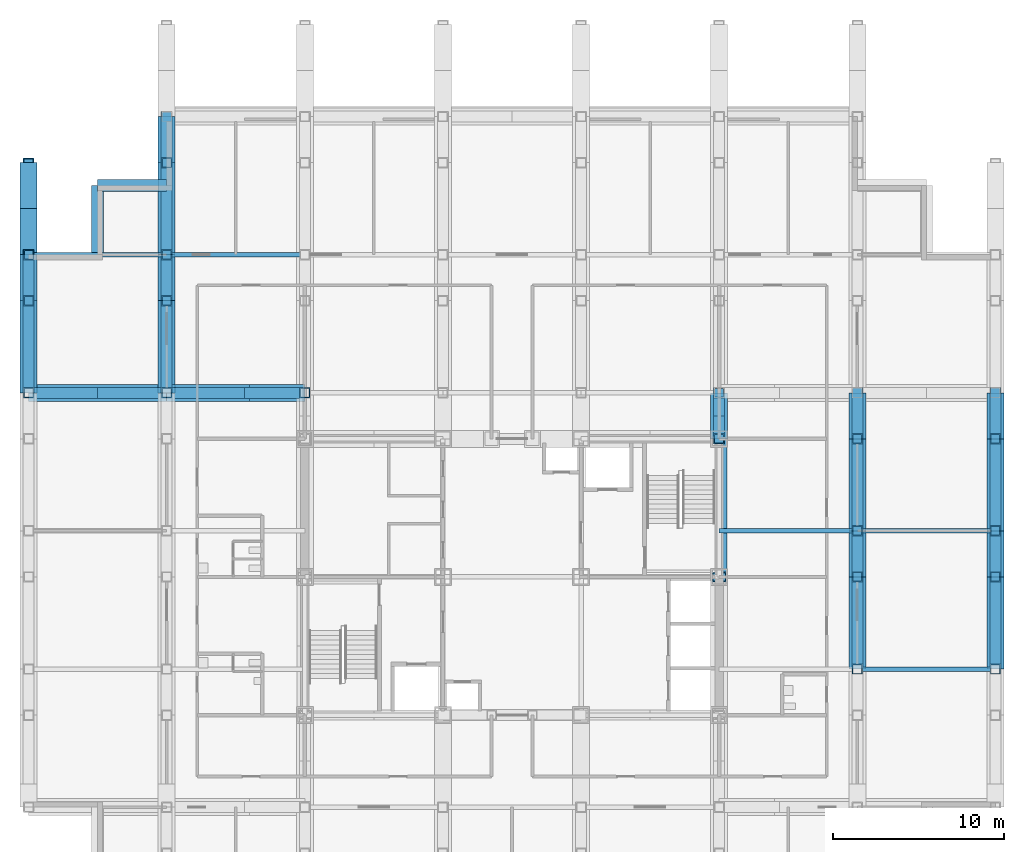
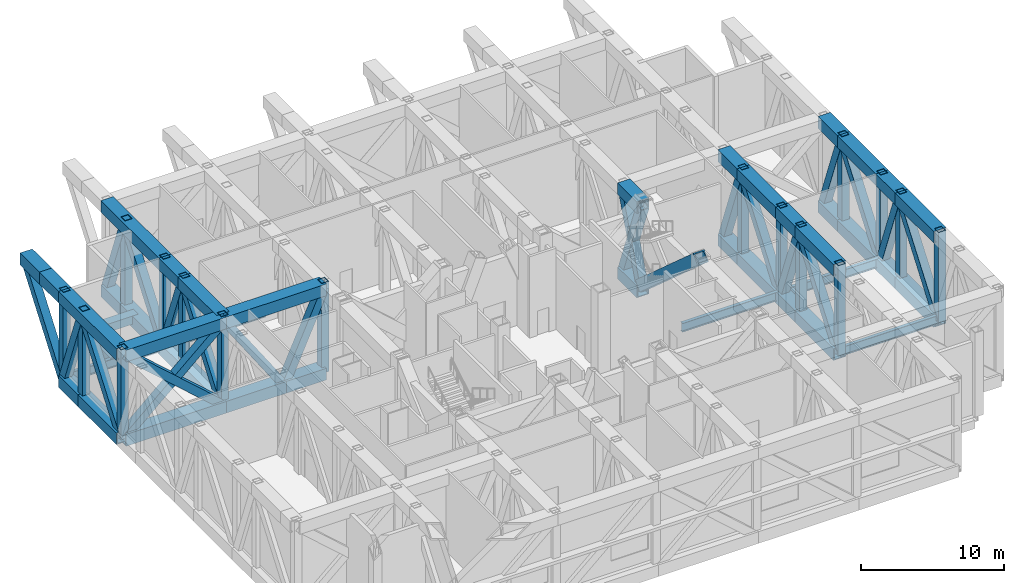
# One storey, part 4 of 13: 73 members, 7 beams.
"""IFC4 building model written with IfcOpenShell, lengths in metres."""

from ifc_helpers import new_model, si_unit, direction, frame, origin, origin_2d, place, context, subcontext, project, spatial, hollow_rectangle, i_section, extrude, material, material_profile, profile_set, type_object, element, save


model = new_model("IFC4")

# Units and contexts
model_context = context("Model", 3, precision=1e-05, world=origin(), true_north=direction((0.0, 1.0)))
body_context = subcontext(model_context, "Body", "Model", "MODEL_VIEW")
ifc_project = project(units=[si_unit("LENGTHUNIT", "METRE"), si_unit("AREAUNIT", "SQUARE_METRE"), si_unit("VOLUMEUNIT", "CUBIC_METRE"), si_unit("PLANEANGLEUNIT", "RADIAN"), si_unit("MASSUNIT", "GRAM", prefix="KILO")], contexts=[model_context])

# Site, building, storey
site_placement = place(None, origin())
site = spatial("IfcSite", under=ifc_project, at=site_placement, CompositionType="ELEMENT")
building_placement = place(site_placement, origin())
building = spatial("IfcBuilding", under=site, at=building_placement, Name="Kopane Lantern Tower", CompositionType="ELEMENT")
storey_placement = place(building_placement, frame((0.0, 0.0, 235.199951171875)))
storey = spatial("IfcBuildingStorey", under=building, at=storey_placement, Name="L61", CompositionType="ELEMENT", Elevation=235.199951171875)

# Member
ifc_material_1 = material(Name="Steel S355JR", Category="steel")
ifc_material_profile_1 = material_profile(ifc_material_1, hollow_rectangle(XDim=0.89990234375, YDim=0.89990234375, WallThickness=0.090087890625, at=origin_2d()), Name="BOX 900x900x90")
ifc_profile_set_1 = profile_set([ifc_material_profile_1], Name="Steel S355JR")
member_type_1 = type_object("IfcMemberType", Name="BRACE BOX 900x900x90", PredefinedType="BRACE", material=ifc_profile_set_1)
member_1_placement = place(storey_placement, frame((40.5, 40.5, -0.25), z_axis=(0.0, -0.747415533118, 0.664356847525), x_axis=(1.0, 0.0, 0.0)))
element("IfcMember", 1, at=member_1_placement, inside=storey, type_object=member_type_1, Name="Core brace L61", PredefinedType="BRACE", context=body_context, shape_type="SweptSolid", body=[
    extrude(hollow_rectangle(XDim=0.89990234375, YDim=0.89990234375, WallThickness=0.090087890625, at=origin_2d()), origin(), (0.0, 0.0, 1.0), 10.83740234375),
])

# Beams
ifc_material_2 = material(Name="Steel S355JR", Category="steel")
ifc_material_profile_2 = material_profile(ifc_material_2, hollow_rectangle(XDim=0.699951171875, YDim=0.699951171875, WallThickness=0.06005859375, at=origin_2d()), Name="BOX 700x700x60")
ifc_profile_set_2 = profile_set([ifc_material_profile_2], Name="Steel S355JR")
beam_type_1 = type_object("IfcBeamType", Name="EDGE BEAM BOX 700x700x60", PredefinedType="BEAM", material=ifc_profile_set_2)
for number, where, z_axis, x_axis, name in (
    (2, (4.050048828125, 55.35009765625, -0.599853515625), (0.0, -1.0, 0.0), (1.0, 0.0, 0.0), "Edge Beam L61"),
    (3, (4.050048828125, 55.35009765625, -0.599853515625), (1.0, 0.0, 0.0), (0.0, 1.0, 0.0), "Edge Beam L61"),
):
    element("IfcBeam", number, at=place(storey_placement, frame(where, z_axis=z_axis, x_axis=x_axis)), inside=storey, type_object=beam_type_1, Name=name, PredefinedType="BEAM", context=body_context, shape_type="SweptSolid", body=[
        extrude(hollow_rectangle(XDim=0.699951171875, YDim=0.699951171875, WallThickness=0.06005859375, at=origin_2d()), origin(), (0.0, 0.0, 1.0), 4.050048828125),
    ])
ifc_material_3 = material(Name="Steel S355JR", Category="steel")
ifc_material_profile_3 = material_profile(ifc_material_3, i_section(OverallWidth=0.2666015625, OverallDepth=0.76220703125, WebThickness=0.014404296875, FlangeThickness=0.021484375, FilletRadius=0.0166015625, at=origin_2d()), Name="UB 762x267x173")
ifc_profile_set_3 = profile_set([ifc_material_profile_3], Name="Steel S355JR")
beam_type_2 = type_object("IfcBeamType", Name="GIRDER UB 762x267x173", PredefinedType="BEAM", material=ifc_profile_set_3)
beam_1_placement = place(storey_placement, frame((0.0, 51.300048828125, -0.631103515625), z_axis=(1.0, 0.0, 0.0), x_axis=(0.0, 1.0, 0.0)))
element("IfcBeam", 4, at=beam_1_placement, inside=storey, type_object=beam_type_2, Name="Girder L61", PredefinedType="BEAM", context=body_context, shape_type="SweptSolid", body=[
    extrude(i_section(OverallWidth=0.2666015625, OverallDepth=0.76220703125, WebThickness=0.014404296875, FlangeThickness=0.021484375, FilletRadius=0.0166015625, at=origin_2d()), origin(), (0.0, 0.0, 1.0), 8.10009765625),
])
beam_2_placement = place(storey_placement, frame((8.10009765625, 51.300048828125, -0.631103515625), z_axis=(1.0, 0.0, 0.0), x_axis=(0.0, 1.0, 0.0)))
element("IfcBeam", 5, at=beam_2_placement, inside=storey, type_object=beam_type_2, Name="Girder L61", PredefinedType="BEAM", context=body_context, shape_type="SweptSolid", body=[
    extrude(i_section(OverallWidth=0.2666015625, OverallDepth=0.76220703125, WebThickness=0.014404296875, FlangeThickness=0.021484375, FilletRadius=0.0166015625, at=origin_2d()), origin(), (0.0, 0.0, 1.0), 8.099853515625),
])
beam_3_placement = place(storey_placement, frame((40.5, 35.10009765625, -0.631103515625), z_axis=(1.0, 0.0, 0.0), x_axis=(0.0, 1.0, 0.0)))
element("IfcBeam", 6, at=beam_3_placement, inside=storey, type_object=beam_type_2, Name="Girder L61", PredefinedType="BEAM", context=body_context, shape_type="SweptSolid", body=[
    extrude(i_section(OverallWidth=0.2666015625, OverallDepth=0.76220703125, WebThickness=0.014404296875, FlangeThickness=0.021484375, FilletRadius=0.0166015625, at=origin_2d()), origin(), (0.0, 0.0, 1.0), 8.10009765625),
])
for number, where, z_axis, x_axis, name in (
    (7, (48.60009765625, 27.0, -0.631103515625), (1.0, 0.0, 0.0), (0.0, 1.0, 0.0), "Girder L61"),
    (8, (48.60009765625, 35.10009765625, -0.631103515625), (1.0, 0.0, 0.0), (0.0, 1.0, 0.0), "Girder L61"),
):
    element("IfcBeam", number, at=place(storey_placement, frame(where, z_axis=z_axis, x_axis=x_axis)), inside=storey, type_object=beam_type_2, Name=name, PredefinedType="BEAM", context=body_context, shape_type="SweptSolid", body=[
        extrude(i_section(OverallWidth=0.2666015625, OverallDepth=0.76220703125, WebThickness=0.014404296875, FlangeThickness=0.021484375, FilletRadius=0.0166015625, at=origin_2d()), origin(), (0.0, 0.0, 1.0), 8.099853515625),
    ])

# Members
ifc_material_4 = material(Name="Steel S355JR", Category="steel")
ifc_material_profile_4 = material_profile(ifc_material_4, hollow_rectangle(XDim=1.0, YDim=1.0, WallThickness=0.080078125, at=origin_2d()), Name="BOX 1000x1000x80")
ifc_profile_set_4 = profile_set([ifc_material_profile_4], Name="Steel S355JR")
member_type_2 = type_object("IfcMemberType", Name="TRUSS CHORD BOX 1000x1000x80", PredefinedType="CHORD", material=ifc_profile_set_4)
member_2_placement = place(storey_placement, frame((0.0, 43.199951171875, -0.75), z_axis=(0.0, 1.0, 0.0), x_axis=(-1.0, 0.0, 0.0)))
element("IfcMember", 9, at=member_2_placement, inside=storey, type_object=member_type_2, Name="Transfer truss 2 L61 truss chord", PredefinedType="CHORD", context=body_context, shape_type="SweptSolid", body=[
    extrude(hollow_rectangle(XDim=1.0, YDim=1.0, WallThickness=0.080078125, at=origin_2d()), origin(), (0.0, 0.0, 1.0), 5.400146484375),
])
member_3_placement = place(storey_placement, frame((0.0, 48.60009765625, -0.75), z_axis=(0.0, 1.0, 0.0), x_axis=(-1.0, 0.0, 0.0)))
element("IfcMember", 10, at=member_3_placement, inside=storey, type_object=member_type_2, Name="Transfer truss 2 L61 truss chord", PredefinedType="CHORD", context=body_context, shape_type="SweptSolid", body=[
    extrude(hollow_rectangle(XDim=1.0, YDim=1.0, WallThickness=0.080078125, at=origin_2d()), origin(), (0.0, 0.0, 1.0), 2.699951171875),
])
member_4_placement = place(storey_placement, frame((0.0, 43.199951171875, 6.449951171875), z_axis=(0.0, 1.0, 0.0), x_axis=(-1.0, 0.0, 0.0)))
element("IfcMember", 11, at=member_4_placement, inside=storey, type_object=member_type_2, Name="Transfer truss 2 L61 truss chord", PredefinedType="CHORD", context=body_context, shape_type="SweptSolid", body=[
    extrude(hollow_rectangle(XDim=1.0, YDim=1.0, WallThickness=0.080078125, at=origin_2d()), origin(), (0.0, 0.0, 1.0), 8.10009765625),
])
for number, where, z_axis, x_axis, name in (
    (12, (0.0, 51.300048828125, 6.449951171875), (0.0, 1.0, 0.0), (-1.0, 0.0, 0.0), "Transfer truss 2 L61 truss chord"),
    (13, (0.0, 54.0, 6.449951171875), (0.0, 1.0, 0.0), (-1.0, 0.0, 0.0), "Transfer truss 2 L61 truss chord"),
):
    element("IfcMember", number, at=place(storey_placement, frame(where, z_axis=z_axis, x_axis=x_axis)), inside=storey, type_object=member_type_2, Name=name, PredefinedType="CHORD", context=body_context, shape_type="SweptSolid", body=[
        extrude(hollow_rectangle(XDim=1.0, YDim=1.0, WallThickness=0.080078125, at=origin_2d()), origin(), (0.0, 0.0, 1.0), 2.699951171875),
    ])
member_5_placement = place(storey_placement, frame((8.10009765625, 43.199951171875, -0.75), z_axis=(0.0, 1.0, 0.0), x_axis=(-1.0, 0.0, 0.0)))
element("IfcMember", 14, at=member_5_placement, inside=storey, type_object=member_type_2, Name="Transfer truss 3 L61 truss chord", PredefinedType="CHORD", context=body_context, shape_type="SweptSolid", body=[
    extrude(hollow_rectangle(XDim=1.0, YDim=1.0, WallThickness=0.080078125, at=origin_2d()), origin(), (0.0, 0.0, 1.0), 5.400146484375),
])
member_6_placement = place(storey_placement, frame((8.10009765625, 48.60009765625, -0.75), z_axis=(0.0, 1.0, 0.0), x_axis=(-1.0, 0.0, 0.0)))
element("IfcMember", 15, at=member_6_placement, inside=storey, type_object=member_type_2, Name="Transfer truss 3 L61 truss chord", PredefinedType="CHORD", context=body_context, shape_type="SweptSolid", body=[
    extrude(hollow_rectangle(XDim=1.0, YDim=1.0, WallThickness=0.080078125, at=origin_2d()), origin(), (0.0, 0.0, 1.0), 2.699951171875),
])
member_7_placement = place(storey_placement, frame((8.10009765625, 51.300048828125, -0.75), z_axis=(0.0, 1.0, 0.0), x_axis=(-1.0, 0.0, 0.0)))
element("IfcMember", 16, at=member_7_placement, inside=storey, type_object=member_type_2, Name="Transfer truss 3 L61 truss chord", PredefinedType="CHORD", context=body_context, shape_type="SweptSolid", body=[
    extrude(hollow_rectangle(XDim=1.0, YDim=1.0, WallThickness=0.080078125, at=origin_2d()), origin(), (0.0, 0.0, 1.0), 5.39990234375),
])
member_8_placement = place(storey_placement, frame((8.10009765625, 56.699951171875, -0.75), z_axis=(0.0, 1.0, 0.0), x_axis=(-1.0, 0.0, 0.0)))
element("IfcMember", 17, at=member_8_placement, inside=storey, type_object=member_type_2, Name="Transfer truss 3 L61 truss chord", PredefinedType="CHORD", context=body_context, shape_type="SweptSolid", body=[
    extrude(hollow_rectangle(XDim=1.0, YDim=1.0, WallThickness=0.080078125, at=origin_2d()), origin(), (0.0, 0.0, 1.0), 2.699951171875),
])
member_9_placement = place(storey_placement, frame((8.10009765625, 43.199951171875, 6.449951171875), z_axis=(0.0, 1.0, 0.0), x_axis=(-1.0, 0.0, 0.0)))
element("IfcMember", 18, at=member_9_placement, inside=storey, type_object=member_type_2, Name="Transfer truss 3 L61 truss chord", PredefinedType="CHORD", context=body_context, shape_type="SweptSolid", body=[
    extrude(hollow_rectangle(XDim=1.0, YDim=1.0, WallThickness=0.080078125, at=origin_2d()), origin(), (0.0, 0.0, 1.0), 5.400146484375),
])
member_10_placement = place(storey_placement, frame((8.10009765625, 48.60009765625, 6.449951171875), z_axis=(0.0, 1.0, 0.0), x_axis=(-1.0, 0.0, 0.0)))
element("IfcMember", 19, at=member_10_placement, inside=storey, type_object=member_type_2, Name="Transfer truss 3 L61 truss chord", PredefinedType="CHORD", context=body_context, shape_type="SweptSolid", body=[
    extrude(hollow_rectangle(XDim=1.0, YDim=1.0, WallThickness=0.080078125, at=origin_2d()), origin(), (0.0, 0.0, 1.0), 2.699951171875),
])
member_11_placement = place(storey_placement, frame((8.10009765625, 51.300048828125, 6.449951171875), z_axis=(0.0, 1.0, 0.0), x_axis=(-1.0, 0.0, 0.0)))
element("IfcMember", 20, at=member_11_placement, inside=storey, type_object=member_type_2, Name="Transfer truss 3 L61 truss chord", PredefinedType="CHORD", context=body_context, shape_type="SweptSolid", body=[
    extrude(hollow_rectangle(XDim=1.0, YDim=1.0, WallThickness=0.080078125, at=origin_2d()), origin(), (0.0, 0.0, 1.0), 8.099853515625),
])
for number, where, z_axis, x_axis, name in (
    (21, (40.5, 40.5, -0.75), (0.0, 1.0, 0.0), (-1.0, 0.0, 0.0), "Transfer truss 7 L61 truss chord"),
    (22, (40.5, 40.5, 6.449951171875), (0.0, 1.0, 0.0), (-1.0, 0.0, 0.0), "Transfer truss 7 L61 truss chord"),
):
    element("IfcMember", number, at=place(storey_placement, frame(where, z_axis=z_axis, x_axis=x_axis)), inside=storey, type_object=member_type_2, Name=name, PredefinedType="CHORD", context=body_context, shape_type="SweptSolid", body=[
        extrude(hollow_rectangle(XDim=1.0, YDim=1.0, WallThickness=0.080078125, at=origin_2d()), origin(), (0.0, 0.0, 1.0), 2.699951171875),
    ])
member_12_placement = place(storey_placement, frame((48.60009765625, 27.0, -0.75), z_axis=(0.0, 1.0, 0.0), x_axis=(-1.0, 0.0, 0.0)))
element("IfcMember", 23, at=member_12_placement, inside=storey, type_object=member_type_2, Name="Transfer truss 8 L61 truss chord", PredefinedType="CHORD", context=body_context, shape_type="SweptSolid", body=[
    extrude(hollow_rectangle(XDim=1.0, YDim=1.0, WallThickness=0.080078125, at=origin_2d()), origin(), (0.0, 0.0, 1.0), 5.39990234375),
])
member_13_placement = place(storey_placement, frame((48.60009765625, 32.39990234375, -0.75), z_axis=(0.0, 1.0, 0.0), x_axis=(-1.0, 0.0, 0.0)))
element("IfcMember", 24, at=member_13_placement, inside=storey, type_object=member_type_2, Name="Transfer truss 8 L61 truss chord", PredefinedType="CHORD", context=body_context, shape_type="SweptSolid", body=[
    extrude(hollow_rectangle(XDim=1.0, YDim=1.0, WallThickness=0.080078125, at=origin_2d()), origin(), (0.0, 0.0, 1.0), 2.7001953125),
])
member_14_placement = place(storey_placement, frame((48.60009765625, 35.10009765625, -0.75), z_axis=(0.0, 1.0, 0.0), x_axis=(-1.0, 0.0, 0.0)))
element("IfcMember", 25, at=member_14_placement, inside=storey, type_object=member_type_2, Name="Transfer truss 8 L61 truss chord", PredefinedType="CHORD", context=body_context, shape_type="SweptSolid", body=[
    extrude(hollow_rectangle(XDim=1.0, YDim=1.0, WallThickness=0.080078125, at=origin_2d()), origin(), (0.0, 0.0, 1.0), 5.39990234375),
])
member_15_placement = place(storey_placement, frame((48.60009765625, 40.5, -0.75), z_axis=(0.0, 1.0, 0.0), x_axis=(-1.0, 0.0, 0.0)))
element("IfcMember", 26, at=member_15_placement, inside=storey, type_object=member_type_2, Name="Transfer truss 8 L61 truss chord", PredefinedType="CHORD", context=body_context, shape_type="SweptSolid", body=[
    extrude(hollow_rectangle(XDim=1.0, YDim=1.0, WallThickness=0.080078125, at=origin_2d()), origin(), (0.0, 0.0, 1.0), 2.699951171875),
])
member_16_placement = place(storey_placement, frame((48.60009765625, 27.0, 6.449951171875), z_axis=(0.0, 1.0, 0.0), x_axis=(-1.0, 0.0, 0.0)))
element("IfcMember", 27, at=member_16_placement, inside=storey, type_object=member_type_2, Name="Transfer truss 8 L61 truss chord", PredefinedType="CHORD", context=body_context, shape_type="SweptSolid", body=[
    extrude(hollow_rectangle(XDim=1.0, YDim=1.0, WallThickness=0.080078125, at=origin_2d()), origin(), (0.0, 0.0, 1.0), 5.39990234375),
])
member_17_placement = place(storey_placement, frame((48.60009765625, 32.39990234375, 6.449951171875), z_axis=(0.0, 1.0, 0.0), x_axis=(-1.0, 0.0, 0.0)))
element("IfcMember", 28, at=member_17_placement, inside=storey, type_object=member_type_2, Name="Transfer truss 8 L61 truss chord", PredefinedType="CHORD", context=body_context, shape_type="SweptSolid", body=[
    extrude(hollow_rectangle(XDim=1.0, YDim=1.0, WallThickness=0.080078125, at=origin_2d()), origin(), (0.0, 0.0, 1.0), 2.7001953125),
])
member_18_placement = place(storey_placement, frame((48.60009765625, 35.10009765625, 6.449951171875), z_axis=(0.0, 1.0, 0.0), x_axis=(-1.0, 0.0, 0.0)))
element("IfcMember", 29, at=member_18_placement, inside=storey, type_object=member_type_2, Name="Transfer truss 8 L61 truss chord", PredefinedType="CHORD", context=body_context, shape_type="SweptSolid", body=[
    extrude(hollow_rectangle(XDim=1.0, YDim=1.0, WallThickness=0.080078125, at=origin_2d()), origin(), (0.0, 0.0, 1.0), 5.39990234375),
])
member_19_placement = place(storey_placement, frame((48.60009765625, 40.5, 6.449951171875), z_axis=(0.0, 1.0, 0.0), x_axis=(-1.0, 0.0, 0.0)))
element("IfcMember", 30, at=member_19_placement, inside=storey, type_object=member_type_2, Name="Transfer truss 8 L61 truss chord", PredefinedType="CHORD", context=body_context, shape_type="SweptSolid", body=[
    extrude(hollow_rectangle(XDim=1.0, YDim=1.0, WallThickness=0.080078125, at=origin_2d()), origin(), (0.0, 0.0, 1.0), 2.699951171875),
])
member_20_placement = place(storey_placement, frame((56.699951171875, 27.0, -0.75), z_axis=(0.0, 1.0, 0.0), x_axis=(-1.0, 0.0, 0.0)))
element("IfcMember", 31, at=member_20_placement, inside=storey, type_object=member_type_2, Name="Transfer truss 9 L61 truss chord", PredefinedType="CHORD", context=body_context, shape_type="SweptSolid", body=[
    extrude(hollow_rectangle(XDim=1.0, YDim=1.0, WallThickness=0.080078125, at=origin_2d()), origin(), (0.0, 0.0, 1.0), 5.39990234375),
])
member_21_placement = place(storey_placement, frame((56.699951171875, 32.39990234375, -0.75), z_axis=(0.0, 1.0, 0.0), x_axis=(-1.0, 0.0, 0.0)))
element("IfcMember", 32, at=member_21_placement, inside=storey, type_object=member_type_2, Name="Transfer truss 9 L61 truss chord", PredefinedType="CHORD", context=body_context, shape_type="SweptSolid", body=[
    extrude(hollow_rectangle(XDim=1.0, YDim=1.0, WallThickness=0.080078125, at=origin_2d()), origin(), (0.0, 0.0, 1.0), 2.7001953125),
])
member_22_placement = place(storey_placement, frame((56.699951171875, 35.10009765625, -0.75), z_axis=(0.0, 1.0, 0.0), x_axis=(-1.0, 0.0, 0.0)))
element("IfcMember", 33, at=member_22_placement, inside=storey, type_object=member_type_2, Name="Transfer truss 9 L61 truss chord", PredefinedType="CHORD", context=body_context, shape_type="SweptSolid", body=[
    extrude(hollow_rectangle(XDim=1.0, YDim=1.0, WallThickness=0.080078125, at=origin_2d()), origin(), (0.0, 0.0, 1.0), 5.39990234375),
])
member_23_placement = place(storey_placement, frame((56.699951171875, 40.5, -0.75), z_axis=(0.0, 1.0, 0.0), x_axis=(-1.0, 0.0, 0.0)))
element("IfcMember", 34, at=member_23_placement, inside=storey, type_object=member_type_2, Name="Transfer truss 9 L61 truss chord", PredefinedType="CHORD", context=body_context, shape_type="SweptSolid", body=[
    extrude(hollow_rectangle(XDim=1.0, YDim=1.0, WallThickness=0.080078125, at=origin_2d()), origin(), (0.0, 0.0, 1.0), 2.699951171875),
])
member_24_placement = place(storey_placement, frame((56.699951171875, 27.0, 6.449951171875), z_axis=(0.0, 1.0, 0.0), x_axis=(-1.0, 0.0, 0.0)))
element("IfcMember", 35, at=member_24_placement, inside=storey, type_object=member_type_2, Name="Transfer truss 9 L61 truss chord", PredefinedType="CHORD", context=body_context, shape_type="SweptSolid", body=[
    extrude(hollow_rectangle(XDim=1.0, YDim=1.0, WallThickness=0.080078125, at=origin_2d()), origin(), (0.0, 0.0, 1.0), 5.39990234375),
])
member_25_placement = place(storey_placement, frame((56.699951171875, 32.39990234375, 6.449951171875), z_axis=(0.0, 1.0, 0.0), x_axis=(-1.0, 0.0, 0.0)))
element("IfcMember", 36, at=member_25_placement, inside=storey, type_object=member_type_2, Name="Transfer truss 9 L61 truss chord", PredefinedType="CHORD", context=body_context, shape_type="SweptSolid", body=[
    extrude(hollow_rectangle(XDim=1.0, YDim=1.0, WallThickness=0.080078125, at=origin_2d()), origin(), (0.0, 0.0, 1.0), 2.7001953125),
])
member_26_placement = place(storey_placement, frame((56.699951171875, 35.10009765625, 6.449951171875), z_axis=(0.0, 1.0, 0.0), x_axis=(-1.0, 0.0, 0.0)))
element("IfcMember", 37, at=member_26_placement, inside=storey, type_object=member_type_2, Name="Transfer truss 9 L61 truss chord", PredefinedType="CHORD", context=body_context, shape_type="SweptSolid", body=[
    extrude(hollow_rectangle(XDim=1.0, YDim=1.0, WallThickness=0.080078125, at=origin_2d()), origin(), (0.0, 0.0, 1.0), 5.39990234375),
])
member_27_placement = place(storey_placement, frame((56.699951171875, 40.5, 6.449951171875), z_axis=(0.0, 1.0, 0.0), x_axis=(-1.0, 0.0, 0.0)))
element("IfcMember", 38, at=member_27_placement, inside=storey, type_object=member_type_2, Name="Transfer truss 9 L61 truss chord", PredefinedType="CHORD", context=body_context, shape_type="SweptSolid", body=[
    extrude(hollow_rectangle(XDim=1.0, YDim=1.0, WallThickness=0.080078125, at=origin_2d()), origin(), (0.0, 0.0, 1.0), 2.699951171875),
])
for number, where, z_axis, x_axis, name in (
    (39, (0.0, 43.199951171875, -0.75), (1.0, 0.0, 0.0), (0.0, 1.0, 0.0), "Outrigger truss W43.2 L61 truss chord"),
    (40, (0.0, 43.199951171875, 6.449951171875), (1.0, 0.0, 0.0), (0.0, 1.0, 0.0), "Outrigger truss W43.2 L61 truss chord"),
):
    element("IfcMember", number, at=place(storey_placement, frame(where, z_axis=z_axis, x_axis=x_axis)), inside=storey, type_object=member_type_2, Name=name, PredefinedType="CHORD", context=body_context, shape_type="SweptSolid", body=[
        extrude(hollow_rectangle(XDim=1.0, YDim=1.0, WallThickness=0.080078125, at=origin_2d()), origin(), (0.0, 0.0, 1.0), 8.10009765625),
    ])
member_28_placement = place(storey_placement, frame((8.10009765625, 43.199951171875, -0.75), z_axis=(1.0, 0.0, 0.0), x_axis=(0.0, 1.0, 0.0)))
element("IfcMember", 41, at=member_28_placement, inside=storey, type_object=member_type_2, Name="Outrigger truss W43.2 L61 truss chord", PredefinedType="CHORD", context=body_context, shape_type="SweptSolid", body=[
    extrude(hollow_rectangle(XDim=1.0, YDim=1.0, WallThickness=0.080078125, at=origin_2d()), origin(), (0.0, 0.0, 1.0), 4.85986328125),
])
member_29_placement = place(storey_placement, frame((12.9599609375, 43.199951171875, -0.75), z_axis=(1.0, 0.0, 0.0), x_axis=(0.0, 1.0, 0.0)))
element("IfcMember", 42, at=member_29_placement, inside=storey, type_object=member_type_2, Name="Outrigger truss W43.2 L61 truss chord", PredefinedType="CHORD", context=body_context, shape_type="SweptSolid", body=[
    extrude(hollow_rectangle(XDim=1.0, YDim=1.0, WallThickness=0.080078125, at=origin_2d()), origin(), (0.0, 0.0, 1.0), 3.239990234375),
])
member_30_placement = place(storey_placement, frame((8.10009765625, 43.199951171875, 6.449951171875), z_axis=(1.0, 0.0, 0.0), x_axis=(0.0, 1.0, 0.0)))
element("IfcMember", 43, at=member_30_placement, inside=storey, type_object=member_type_2, Name="Outrigger truss W43.2 L61 truss chord", PredefinedType="CHORD", context=body_context, shape_type="SweptSolid", body=[
    extrude(hollow_rectangle(XDim=1.0, YDim=1.0, WallThickness=0.080078125, at=origin_2d()), origin(), (0.0, 0.0, 1.0), 8.099853515625),
])
ifc_material_5 = material(Name="Steel S355JR", Category="steel")
ifc_material_profile_5 = material_profile(ifc_material_5, hollow_rectangle(XDim=0.64990234375, YDim=0.64990234375, WallThickness=0.06005859375, at=origin_2d()), Name="BOX 650x650x60")
ifc_profile_set_5 = profile_set([ifc_material_profile_5], Name="Steel S355JR")
member_type_3 = type_object("IfcMemberType", Name="TRUSS DIAGONAL BOX 650x650x60", PredefinedType="BRACE", material=ifc_profile_set_5)
member_31_placement = place(storey_placement, frame((0.0, 43.199951171875, -0.75), z_axis=(0.0, 0.600013020683, 0.799990234322), x_axis=(-1.0, 0.0, 0.0)))
element("IfcMember", 44, at=member_31_placement, inside=storey, type_object=member_type_3, Name="Transfer truss 2 L61 truss diagonal", PredefinedType="BRACE", context=body_context, shape_type="SweptSolid", body=[
    extrude(hollow_rectangle(XDim=0.64990234375, YDim=0.64990234375, WallThickness=0.06005859375, at=origin_2d()), origin(), (0.0, 0.0, 1.0), 9.0),
])
member_32_placement = place(storey_placement, frame((0.0, 51.300048828125, -0.75), z_axis=(0.0, -0.351119962166, 0.936330482345), x_axis=(1.0, 0.0, 0.0)))
element("IfcMember", 45, at=member_32_placement, inside=storey, type_object=member_type_3, Name="Transfer truss 2 L61 truss diagonal", PredefinedType="BRACE", context=body_context, shape_type="SweptSolid", body=[
    extrude(hollow_rectangle(XDim=0.64990234375, YDim=0.64990234375, WallThickness=0.06005859375, at=origin_2d()), origin(), (0.0, 0.0, 1.0), 7.689453125),
])
for number, where, z_axis, x_axis, name in (
    (46, (0.0, 51.300048828125, -0.75), (0.0, 0.599995659666, 0.800003255232), (-1.0, 0.0, 0.0), "Transfer truss 2 L61 truss diagonal"),
    (47, (8.10009765625, 43.199951171875, -0.75), (0.0, 0.600013020683, 0.799990234322), (-1.0, 0.0, 0.0), "Transfer truss 3 L61 truss diagonal"),
):
    element("IfcMember", number, at=place(storey_placement, frame(where, z_axis=z_axis, x_axis=x_axis)), inside=storey, type_object=member_type_3, Name=name, PredefinedType="BRACE", context=body_context, shape_type="SweptSolid", body=[
        extrude(hollow_rectangle(XDim=0.64990234375, YDim=0.64990234375, WallThickness=0.06005859375, at=origin_2d()), origin(), (0.0, 0.0, 1.0), 9.0),
    ])
member_33_placement = place(storey_placement, frame((8.10009765625, 51.300048828125, -0.75), z_axis=(0.0, -0.351119962166, 0.936330482345), x_axis=(1.0, 0.0, 0.0)))
element("IfcMember", 48, at=member_33_placement, inside=storey, type_object=member_type_3, Name="Transfer truss 3 L61 truss diagonal", PredefinedType="BRACE", context=body_context, shape_type="SweptSolid", body=[
    extrude(hollow_rectangle(XDim=0.64990234375, YDim=0.64990234375, WallThickness=0.06005859375, at=origin_2d()), origin(), (0.0, 0.0, 1.0), 7.689453125),
])
member_34_placement = place(storey_placement, frame((8.10009765625, 51.300048828125, -0.75), z_axis=(0.0, 0.599995659666, 0.800003255232), x_axis=(-1.0, 0.0, 0.0)))
element("IfcMember", 49, at=member_34_placement, inside=storey, type_object=member_type_3, Name="Transfer truss 3 L61 truss diagonal", PredefinedType="BRACE", context=body_context, shape_type="SweptSolid", body=[
    extrude(hollow_rectangle(XDim=0.64990234375, YDim=0.64990234375, WallThickness=0.06005859375, at=origin_2d()), origin(), (0.0, 0.0, 1.0), 9.0),
])
member_35_placement = place(storey_placement, frame((8.10009765625, 59.39990234375, -0.75), z_axis=(0.0, -0.351119962166, 0.936330482345), x_axis=(1.0, 0.0, 0.0)))
element("IfcMember", 50, at=member_35_placement, inside=storey, type_object=member_type_3, Name="Transfer truss 3 L61 truss diagonal", PredefinedType="BRACE", context=body_context, shape_type="SweptSolid", body=[
    extrude(hollow_rectangle(XDim=0.64990234375, YDim=0.64990234375, WallThickness=0.06005859375, at=origin_2d()), origin(), (0.0, 0.0, 1.0), 7.689453125),
])
member_36_placement = place(storey_placement, frame((48.60009765625, 27.0, -0.75), z_axis=(0.0, 0.599995659666, 0.800003255232), x_axis=(-1.0, 0.0, 0.0)))
element("IfcMember", 51, at=member_36_placement, inside=storey, type_object=member_type_3, Name="Transfer truss 8 L61 truss diagonal", PredefinedType="BRACE", context=body_context, shape_type="SweptSolid", body=[
    extrude(hollow_rectangle(XDim=0.64990234375, YDim=0.64990234375, WallThickness=0.06005859375, at=origin_2d()), origin(), (0.0, 0.0, 1.0), 9.0),
])
member_37_placement = place(storey_placement, frame((48.60009765625, 35.10009765625, -0.75), z_axis=(0.0, -0.351147797134, 0.936320043878), x_axis=(1.0, 0.0, 0.0)))
element("IfcMember", 52, at=member_37_placement, inside=storey, type_object=member_type_3, Name="Transfer truss 8 L61 truss diagonal", PredefinedType="BRACE", context=body_context, shape_type="SweptSolid", body=[
    extrude(hollow_rectangle(XDim=0.64990234375, YDim=0.64990234375, WallThickness=0.06005859375, at=origin_2d()), origin(), (0.0, 0.0, 1.0), 7.689697265625),
])
member_38_placement = place(storey_placement, frame((48.60009765625, 35.10009765625, -0.75), z_axis=(0.0, 0.599995659666, 0.800003255232), x_axis=(-1.0, 0.0, 0.0)))
element("IfcMember", 53, at=member_38_placement, inside=storey, type_object=member_type_3, Name="Transfer truss 8 L61 truss diagonal", PredefinedType="BRACE", context=body_context, shape_type="SweptSolid", body=[
    extrude(hollow_rectangle(XDim=0.64990234375, YDim=0.64990234375, WallThickness=0.06005859375, at=origin_2d()), origin(), (0.0, 0.0, 1.0), 9.0),
])
member_39_placement = place(storey_placement, frame((48.60009765625, 43.199951171875, -0.75), z_axis=(0.0, -0.351119962166, 0.936330482345), x_axis=(1.0, 0.0, 0.0)))
element("IfcMember", 54, at=member_39_placement, inside=storey, type_object=member_type_3, Name="Transfer truss 8 L61 truss diagonal", PredefinedType="BRACE", context=body_context, shape_type="SweptSolid", body=[
    extrude(hollow_rectangle(XDim=0.64990234375, YDim=0.64990234375, WallThickness=0.06005859375, at=origin_2d()), origin(), (0.0, 0.0, 1.0), 7.689453125),
])
member_40_placement = place(storey_placement, frame((56.699951171875, 27.0, -0.75), z_axis=(0.0, 0.599995659666, 0.800003255232), x_axis=(-1.0, 0.0, 0.0)))
element("IfcMember", 55, at=member_40_placement, inside=storey, type_object=member_type_3, Name="Transfer truss 9 L61 truss diagonal", PredefinedType="BRACE", context=body_context, shape_type="SweptSolid", body=[
    extrude(hollow_rectangle(XDim=0.64990234375, YDim=0.64990234375, WallThickness=0.06005859375, at=origin_2d()), origin(), (0.0, 0.0, 1.0), 9.0),
])
member_41_placement = place(storey_placement, frame((56.699951171875, 35.10009765625, -0.75), z_axis=(0.0, -0.351147797134, 0.936320043878), x_axis=(1.0, 0.0, 0.0)))
element("IfcMember", 56, at=member_41_placement, inside=storey, type_object=member_type_3, Name="Transfer truss 9 L61 truss diagonal", PredefinedType="BRACE", context=body_context, shape_type="SweptSolid", body=[
    extrude(hollow_rectangle(XDim=0.64990234375, YDim=0.64990234375, WallThickness=0.06005859375, at=origin_2d()), origin(), (0.0, 0.0, 1.0), 7.689697265625),
])
member_42_placement = place(storey_placement, frame((56.699951171875, 35.10009765625, -0.75), z_axis=(0.0, 0.599995659666, 0.800003255232), x_axis=(-1.0, 0.0, 0.0)))
element("IfcMember", 57, at=member_42_placement, inside=storey, type_object=member_type_3, Name="Transfer truss 9 L61 truss diagonal", PredefinedType="BRACE", context=body_context, shape_type="SweptSolid", body=[
    extrude(hollow_rectangle(XDim=0.64990234375, YDim=0.64990234375, WallThickness=0.06005859375, at=origin_2d()), origin(), (0.0, 0.0, 1.0), 9.0),
])
member_43_placement = place(storey_placement, frame((56.699951171875, 43.199951171875, -0.75), z_axis=(0.0, -0.351119962166, 0.936330482345), x_axis=(1.0, 0.0, 0.0)))
element("IfcMember", 58, at=member_43_placement, inside=storey, type_object=member_type_3, Name="Transfer truss 9 L61 truss diagonal", PredefinedType="BRACE", context=body_context, shape_type="SweptSolid", body=[
    extrude(hollow_rectangle(XDim=0.64990234375, YDim=0.64990234375, WallThickness=0.06005859375, at=origin_2d()), origin(), (0.0, 0.0, 1.0), 7.689453125),
])
for number, where, z_axis, x_axis, name in (
    (59, (0.0, 43.199951171875, -0.75), (0.747415533118, 0.0, 0.664356847525), (0.0, 1.0, 0.0), "Outrigger truss W43.2 L61 truss diagonal"),
    (60, (8.10009765625, 43.199951171875, -0.75), (-0.747415533118, 0.0, 0.664356847525), (0.0, -1.0, 0.0), "Outrigger truss W43.2 L61 truss diagonal"),
):
    element("IfcMember", number, at=place(storey_placement, frame(where, z_axis=z_axis, x_axis=x_axis)), inside=storey, type_object=member_type_3, Name=name, PredefinedType="BRACE", context=body_context, shape_type="SweptSolid", body=[
        extrude(hollow_rectangle(XDim=0.64990234375, YDim=0.64990234375, WallThickness=0.06005859375, at=origin_2d()), origin(), (0.0, 0.0, 1.0), 10.83740234375),
    ])
member_44_placement = place(storey_placement, frame((8.10009765625, 43.199951171875, 6.449951171875), z_axis=(0.559464649039, 0.0, -0.828854213041), x_axis=(0.0, 1.0, 0.0)))
element("IfcMember", 61, at=member_44_placement, inside=storey, type_object=member_type_3, Name="Outrigger truss W43.2 L61 truss diagonal", PredefinedType="BRACE", context=body_context, shape_type="SweptSolid", body=[
    extrude(hollow_rectangle(XDim=0.64990234375, YDim=0.64990234375, WallThickness=0.06005859375, at=origin_2d()), origin(), (0.0, 0.0, 1.0), 8.6865234375),
])
member_45_placement = place(storey_placement, frame((16.199951171875, 43.199951171875, 6.449951171875), z_axis=(-0.410365963067, 0.0, -0.911920926592), x_axis=(0.0, -1.0, 0.0)))
element("IfcMember", 62, at=member_45_placement, inside=storey, type_object=member_type_3, Name="Outrigger truss W43.2 L61 truss diagonal", PredefinedType="BRACE", context=body_context, shape_type="SweptSolid", body=[
    extrude(hollow_rectangle(XDim=0.64990234375, YDim=0.64990234375, WallThickness=0.06005859375, at=origin_2d()), origin(), (0.0, 0.0, 1.0), 7.895263671875),
])
for number, where, z_axis, x_axis, name in (
    (63, (40.5, 43.199951171875, -0.75), (0.0, -0.351119962166, 0.936330482345), (1.0, 0.0, 0.0), "Outrigger truss E43.2 L61 truss diagonal"),
    (64, (40.5, 40.5, -0.75), (0.0, 0.351119962166, 0.936330482345), (-1.0, 0.0, 0.0), "Outrigger truss E43.2 L61 truss diagonal"),
):
    element("IfcMember", number, at=place(storey_placement, frame(where, z_axis=z_axis, x_axis=x_axis)), inside=storey, type_object=member_type_3, Name=name, PredefinedType="BRACE", context=body_context, shape_type="SweptSolid", body=[
        extrude(hollow_rectangle(XDim=0.64990234375, YDim=0.64990234375, WallThickness=0.06005859375, at=origin_2d()), origin(), (0.0, 0.0, 1.0), 7.689453125),
    ])
ifc_material_6 = material(Name="Steel S355JR", Category="steel")
ifc_material_profile_6 = material_profile(ifc_material_6, hollow_rectangle(XDim=0.60009765625, YDim=0.60009765625, WallThickness=0.050048828125, at=origin_2d()), Name="BOX 600x600x50")
ifc_profile_set_6 = profile_set([ifc_material_profile_6], Name="Steel S355JR")
member_type_4 = type_object("IfcMemberType", Name="TRUSS POST BOX 600x600x50", PredefinedType="POST", material=ifc_profile_set_6)
for number, where, z_axis, x_axis, name in (
    (65, (0.0, 43.199951171875, -0.75), (0.0, 0.0, 1.0), (1.0, 0.0, 0.0), "Transfer truss 2 L61 truss post"),
    (66, (0.0, 48.60009765625, -0.75), (0.0, 0.0, 1.0), (1.0, 0.0, 0.0), "Transfer truss 2 L61 truss post"),
    (67, (0.0, 51.300048828125, -0.75), (0.0, 0.0, 1.0), (1.0, 0.0, 0.0), "Transfer truss 2 L61 truss post"),
    (68, (8.10009765625, 43.199951171875, -0.75), (0.0, 0.0, 1.0), (1.0, 0.0, 0.0), "Transfer truss 3 L61 truss post"),
    (69, (8.10009765625, 48.60009765625, -0.75), (0.0, 0.0, 1.0), (1.0, 0.0, 0.0), "Transfer truss 3 L61 truss post"),
    (70, (8.10009765625, 51.300048828125, -0.75), (0.0, 0.0, 1.0), (1.0, 0.0, 0.0), "Transfer truss 3 L61 truss post"),
    (71, (8.10009765625, 56.699951171875, -0.75), (0.0, 0.0, 1.0), (1.0, 0.0, 0.0), "Transfer truss 3 L61 truss post"),
    (72, (16.199951171875, 43.199951171875, -0.75), (0.0, 0.0, 1.0), (1.0, 0.0, 0.0), "Transfer truss 4 L61 truss post"),
    (73, (48.60009765625, 27.0, -0.75), (0.0, 0.0, 1.0), (1.0, 0.0, 0.0), "Transfer truss 8 L61 truss post"),
    (74, (48.60009765625, 32.39990234375, -0.75), (0.0, 0.0, 1.0), (1.0, 0.0, 0.0), "Transfer truss 8 L61 truss post"),
    (75, (48.60009765625, 35.10009765625, -0.75), (0.0, 0.0, 1.0), (1.0, 0.0, 0.0), "Transfer truss 8 L61 truss post"),
    (76, (48.60009765625, 40.5, -0.75), (0.0, 0.0, 1.0), (1.0, 0.0, 0.0), "Transfer truss 8 L61 truss post"),
    (77, (56.699951171875, 27.0, -0.75), (0.0, 0.0, 1.0), (1.0, 0.0, 0.0), "Transfer truss 9 L61 truss post"),
    (78, (56.699951171875, 32.39990234375, -0.75), (0.0, 0.0, 1.0), (1.0, 0.0, 0.0), "Transfer truss 9 L61 truss post"),
    (79, (56.699951171875, 35.10009765625, -0.75), (0.0, 0.0, 1.0), (1.0, 0.0, 0.0), "Transfer truss 9 L61 truss post"),
    (80, (56.699951171875, 40.5, -0.75), (0.0, 0.0, 1.0), (1.0, 0.0, 0.0), "Transfer truss 9 L61 truss post"),
):
    element("IfcMember", number, at=place(storey_placement, frame(where, z_axis=z_axis, x_axis=x_axis)), inside=storey, type_object=member_type_4, Name=name, PredefinedType="POST", context=body_context, shape_type="SweptSolid", body=[
        extrude(hollow_rectangle(XDim=0.60009765625, YDim=0.60009765625, WallThickness=0.050048828125, at=origin_2d()), origin(), (0.0, 0.0, 1.0), 7.699951171875),
    ])

save(model, "model.ifc")
